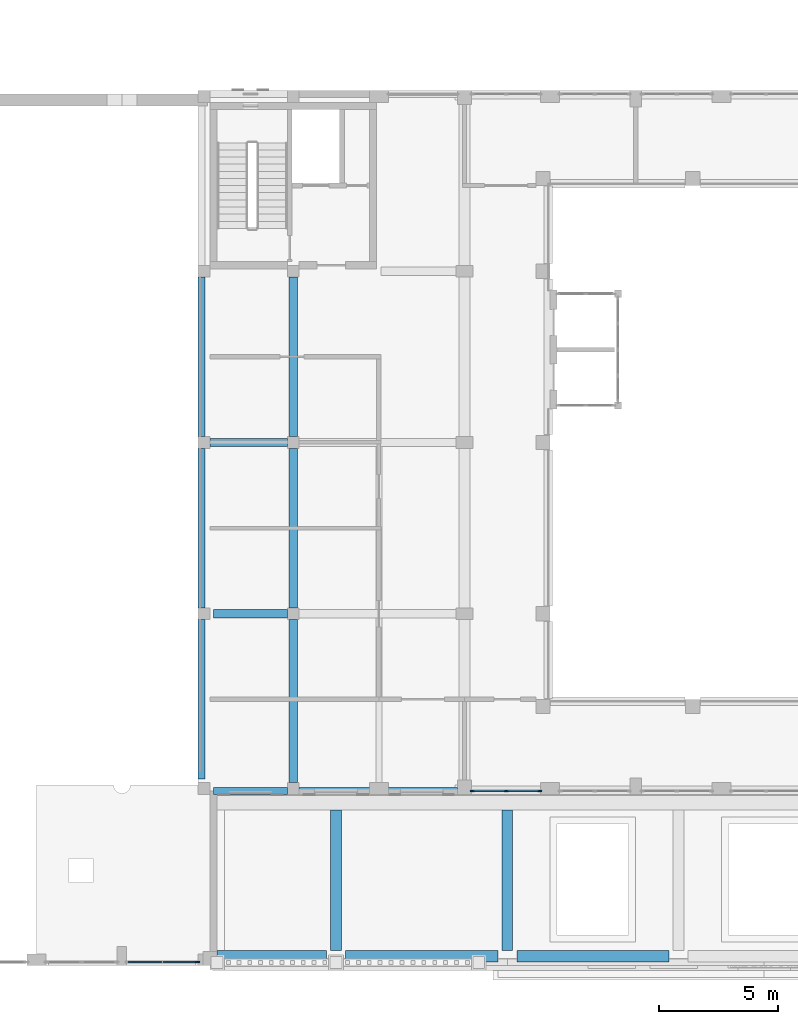
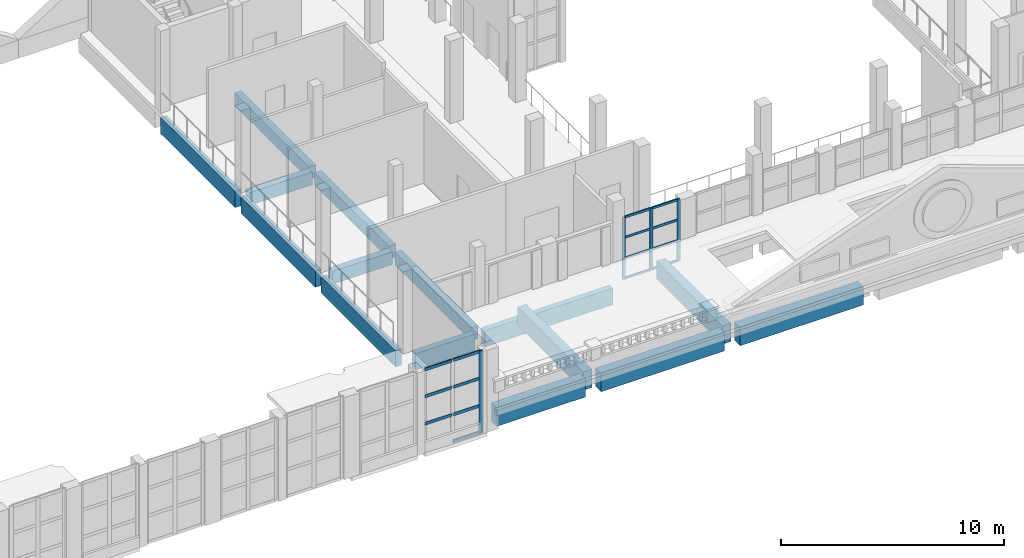
# One storey, part 4 of 58: 19 members, 15 beams, 2 elements without a shape of their own.
"""IFC4 building model written with IfcOpenShell, lengths in metres."""

from ifc_helpers import new_model, si_unit, direction, frame, origin, origin_2d, place, context, subcontext, project, spatial, rectangle, extrude, material, layer, layer_set, material_profile, profile_set, type_object, element, aggregate, save


model = new_model("IFC4")

# Units and contexts
model_context = context("Model", 3, precision=1e-05, world=origin(), true_north=direction((0.0, 1.0)))
body_context = subcontext(model_context, "Body", "Model", "MODEL_VIEW")
ifc_project = project(units=[si_unit("LENGTHUNIT", "METRE"), si_unit("AREAUNIT", "SQUARE_METRE"), si_unit("VOLUMEUNIT", "CUBIC_METRE"), si_unit("PLANEANGLEUNIT", "RADIAN"), si_unit("MASSUNIT", "GRAM", prefix="KILO")], contexts=[model_context])

# Site, building, storey
site_placement = place(None, origin())
site = spatial("IfcSite", under=ifc_project, at=site_placement, CompositionType="ELEMENT")
building_placement = place(site_placement, origin())
building = spatial("IfcBuilding", under=site, at=building_placement, Name="Ussher Court Research Institute", CompositionType="ELEMENT")
storey_placement = place(building_placement, frame((0.0, 0.0, 9.89990234375)))
storey = spatial("IfcBuildingStorey", under=building, at=storey_placement, Name="L02", CompositionType="ELEMENT", Elevation=9.89990234375)

# Curtain wall, members
ifc_material_1 = material(Name="Bronze anodised aluminium with low-e glass", Category="aluminium")
ifc_layer_1 = layer(ifc_material_1, 0.1201171875)
ifc_layer_set_1 = layer_set([ifc_layer_1], Name="Bronze anodised aluminium with low-e glass")
curtain_wall_type_1 = type_object("IfcCurtainWallType", Name="Curtain wall atrium clear glazing", PredefinedType="NOTDEFINED", material=ifc_layer_set_1)
curtain_wall_1_placement = place(storey_placement, origin())
curtain_wall_1 = element("IfcCurtainWall", 1, at=curtain_wall_1_placement, inside=storey, type_object=curtain_wall_type_1, Name="Curtain wall CW2 L02", PredefinedType="NOTDEFINED")
ifc_material_2 = material(Name="Bronze anodised aluminium", Category="aluminium")
ifc_material_profile_1 = material_profile(ifc_material_2, rectangle(XDim=0.06005859375, YDim=0.159912109375, at=origin_2d()), Name="Mullion 60x160")
ifc_profile_set_1 = profile_set([ifc_material_profile_1], Name="Bronze anodised aluminium")
member_type_1 = type_object("IfcMemberType", Name="Mullion 60x160", PredefinedType="MULLION", material=ifc_profile_set_1)
member_1_placement = place(storey_placement, frame((42.169921875, 10.949951171875, 0.0), z_axis=(0.0, 0.0, 1.0), x_axis=(0.0, -1.0, 0.0)))
member_1 = element("IfcMember", 2, at=member_1_placement, type_object=member_type_1, Name="CW2 mullion 1", PredefinedType="MULLION", context=body_context, shape_type="SweptSolid", body=[
    extrude(rectangle(XDim=0.06005859375, YDim=0.159912109375, at=origin_2d()), origin(), (0.0, 0.0, 1.0), 3.400146484375),
])
member_2_placement = place(storey_placement, frame((40.75, 10.949951171875, 0.0), z_axis=(0.0, 0.0, 1.0), x_axis=(0.0, -1.0, 0.0)))
member_2 = element("IfcMember", 3, at=member_2_placement, type_object=member_type_1, Name="CW2 mullion 2", PredefinedType="MULLION", context=body_context, shape_type="SweptSolid", body=[
    extrude(rectangle(XDim=0.06005859375, YDim=0.159912109375, at=origin_2d()), origin(), (0.0, 0.0, 1.0), 3.400146484375),
])
member_3_placement = place(storey_placement, frame((39.330078125, 10.949951171875, 0.0), z_axis=(0.0, 0.0, 1.0), x_axis=(0.0, -1.0, 0.0)))
member_3 = element("IfcMember", 4, at=member_3_placement, type_object=member_type_1, Name="CW2 mullion 3", PredefinedType="MULLION", context=body_context, shape_type="SweptSolid", body=[
    extrude(rectangle(XDim=0.06005859375, YDim=0.159912109375, at=origin_2d()), origin(), (0.0, 0.0, 1.0), 3.400146484375),
])

# Curtain wall, member
ifc_material_3 = material(Name="Bronze anodised aluminium with low-e glass", Category="aluminium")
ifc_layer_2 = layer(ifc_material_3, 0.159912109375)
ifc_layer_set_2 = layer_set([ifc_layer_2], Name="Bronze anodised aluminium with low-e glass")
curtain_wall_type_2 = type_object("IfcCurtainWallType", Name="Curtain wall lecture theatre gable glazing", PredefinedType="NOTDEFINED", material=ifc_layer_set_2)
curtain_wall_2_placement = place(storey_placement, origin())
curtain_wall_2 = element("IfcCurtainWall", 5, at=curtain_wall_2_placement, inside=storey, type_object=curtain_wall_type_2, Name="Curtain wall CW5 L02", PredefinedType="NOTDEFINED")
ifc_material_4 = material(Name="Bronze anodised aluminium", Category="aluminium")
ifc_material_profile_2 = material_profile(ifc_material_4, rectangle(XDim=0.06005859375, YDim=0.199951171875, at=origin_2d()), Name="Mullion 60x200")
ifc_profile_set_2 = profile_set([ifc_material_profile_2], Name="Bronze anodised aluminium")
member_type_2 = type_object("IfcMemberType", Name="Mullion 60x200", PredefinedType="MULLION", material=ifc_profile_set_2)
member_4_placement = place(storey_placement, frame((27.77001953125, 3.75, 0.0), z_axis=(0.0, 0.0, 1.0), x_axis=(0.0, -1.0, 0.0)))
member_4 = element("IfcMember", 6, at=member_4_placement, type_object=member_type_2, Name="CW5 mullion 1", PredefinedType="MULLION", context=body_context, shape_type="SweptSolid", body=[
    extrude(rectangle(XDim=0.06005859375, YDim=0.199951171875, at=origin_2d()), origin(), (0.0, 0.0, 1.0), 4.5),
])

# Beams
ifc_material_5 = material(Name="Concrete C35/45", Category="concrete")
ifc_material_profile_3 = material_profile(ifc_material_5, rectangle(XDim=0.300048828125, YDim=0.89990234375, at=origin_2d()), Name="RC 300x900")
ifc_profile_set_3 = profile_set([ifc_material_profile_3], Name="Concrete C35/45")
beam_type_1 = type_object("IfcBeamType", Name="RC 300x900 beam", PredefinedType="BEAM", material=ifc_profile_set_3)
beam_1_placement = place(storey_placement, frame((28.449951171875, 10.949951171875, -0.64990234375), z_axis=(1.0, 0.0, 0.0), x_axis=(0.0, 1.0, 0.0)))
element("IfcBeam", 7, at=beam_1_placement, inside=storey, type_object=beam_type_1, Name="SB2 V7 L02-01", PredefinedType="BEAM", context=body_context, shape_type="SweptSolid", body=[
    extrude(rectangle(XDim=0.300048828125, YDim=0.89990234375, at=origin_2d()), origin(), (0.0, 0.0, 1.0), 3.10009765625),
])
beam_2_placement = place(storey_placement, frame((32.050048828125, 10.949951171875, -0.64990234375), z_axis=(1.0, 0.0, 0.0), x_axis=(0.0, 1.0, 0.0)))
element("IfcBeam", 8, at=beam_2_placement, inside=storey, type_object=beam_type_1, Name="SB2 V7 L02-02", PredefinedType="BEAM", context=body_context, shape_type="SweptSolid", body=[
    extrude(rectangle(XDim=0.300048828125, YDim=0.89990234375, at=origin_2d()), origin(), (0.0, 0.0, 1.0), 6.64990234375),
])
beam_3_placement = place(storey_placement, frame((27.949951171875, 11.449951171875, -0.64990234375), z_axis=(0.0, 1.0, 0.0), x_axis=(-1.0, 0.0, 0.0)))
element("IfcBeam", 9, at=beam_3_placement, inside=storey, type_object=beam_type_1, Name="SB2 V7 L02-11", PredefinedType="BEAM", context=body_context, shape_type="SweptSolid", body=[
    extrude(rectangle(XDim=0.300048828125, YDim=0.89990234375, at=origin_2d()), origin(), (0.0, 0.0, 1.0), 6.699951171875),
])
beam_4_placement = place(storey_placement, frame((27.949951171875, 18.64990234375, -0.64990234375), z_axis=(0.0, 1.0, 0.0), x_axis=(-1.0, 0.0, 0.0)))
element("IfcBeam", 10, at=beam_4_placement, inside=storey, type_object=beam_type_1, Name="SB2 V7 L02-12", PredefinedType="BEAM", context=body_context, shape_type="SweptSolid", body=[
    extrude(rectangle(XDim=0.300048828125, YDim=0.89990234375, at=origin_2d()), origin(), (0.0, 0.0, 1.0), 6.7001953125),
])
beam_5_placement = place(storey_placement, frame((27.949951171875, 25.85009765625, -0.64990234375), z_axis=(0.0, 1.0, 0.0), x_axis=(-1.0, 0.0, 0.0)))
element("IfcBeam", 11, at=beam_5_placement, inside=storey, type_object=beam_type_1, Name="SB2 V7 L02-13", PredefinedType="BEAM", context=body_context, shape_type="SweptSolid", body=[
    extrude(rectangle(XDim=0.300048828125, YDim=0.89990234375, at=origin_2d()), origin(), (0.0, 0.0, 1.0), 6.699951171875),
])
ifc_material_6 = material(Name="Concrete C35/45", Category="concrete")
ifc_material_profile_4 = material_profile(ifc_material_6, rectangle(XDim=0.35009765625, YDim=0.699951171875, at=origin_2d()), Name="RC 350x700")
ifc_profile_set_4 = profile_set([ifc_material_profile_4], Name="Concrete C35/45")
beam_type_2 = type_object("IfcBeamType", Name="RC 350x700 beam", PredefinedType="BEAM", material=ifc_profile_set_4)
beam_6_placement = place(storey_placement, frame((28.449951171875, 18.39990234375, -0.5498046875), z_axis=(1.0, 0.0, 0.0), x_axis=(0.0, 1.0, 0.0)))
element("IfcBeam", 12, at=beam_6_placement, inside=storey, type_object=beam_type_2, Name="B16 V7 L02-01", PredefinedType="BEAM", context=body_context, shape_type="SweptSolid", body=[
    extrude(rectangle(XDim=0.35009765625, YDim=0.699951171875, at=origin_2d()), origin(), (0.0, 0.0, 1.0), 3.10009765625),
])
beam_7_placement = place(storey_placement, frame((28.300048828125, 25.60009765625, -0.5498046875), z_axis=(1.0, 0.0, 0.0), x_axis=(0.0, 1.0, 0.0)))
element("IfcBeam", 13, at=beam_7_placement, inside=storey, type_object=beam_type_2, Name="B16 V7 L02-06", PredefinedType="BEAM", context=body_context, shape_type="SweptSolid", body=[
    extrude(rectangle(XDim=0.35009765625, YDim=0.699951171875, at=origin_2d()), origin(), (0.0, 0.0, 1.0), 3.25),
])
beam_8_placement = place(storey_placement, frame((31.800048828125, 11.300048828125, -0.5498046875), z_axis=(0.0, 1.0, 0.0), x_axis=(-1.0, 0.0, 0.0)))
element("IfcBeam", 14, at=beam_8_placement, inside=storey, type_object=beam_type_2, Name="B16 V7 L02-14", PredefinedType="BEAM", context=body_context, shape_type="SweptSolid", body=[
    extrude(rectangle(XDim=0.35009765625, YDim=0.699951171875, at=origin_2d()), origin(), (0.0, 0.0, 1.0), 6.849853515625),
])
beam_9_placement = place(storey_placement, frame((31.800048828125, 18.64990234375, -0.5498046875), z_axis=(0.0, 1.0, 0.0), x_axis=(-1.0, 0.0, 0.0)))
element("IfcBeam", 15, at=beam_9_placement, inside=storey, type_object=beam_type_2, Name="B16 V7 L02-15", PredefinedType="BEAM", context=body_context, shape_type="SweptSolid", body=[
    extrude(rectangle(XDim=0.35009765625, YDim=0.699951171875, at=origin_2d()), origin(), (0.0, 0.0, 1.0), 6.7001953125),
])
beam_10_placement = place(storey_placement, frame((31.800048828125, 25.85009765625, -0.5498046875), z_axis=(0.0, 1.0, 0.0), x_axis=(-1.0, 0.0, 0.0)))
element("IfcBeam", 16, at=beam_10_placement, inside=storey, type_object=beam_type_2, Name="B16 V7 L02-16", PredefinedType="BEAM", context=body_context, shape_type="SweptSolid", body=[
    extrude(rectangle(XDim=0.35009765625, YDim=0.699951171875, at=origin_2d()), origin(), (0.0, 0.0, 1.0), 6.699951171875),
])
ifc_material_7 = material(Name="Concrete C35/45", Category="concrete")
ifc_material_profile_5 = material_profile(ifc_material_7, rectangle(XDim=0.449951171875, YDim=1.0, at=origin_2d()), Name="RC 450x1000")
ifc_profile_set_5 = profile_set([ifc_material_profile_5], Name="Concrete C35/45")
beam_type_3 = type_object("IfcBeamType", Name="RC 450x1000 beam", PredefinedType="BEAM", material=ifc_profile_set_5)
for number, where, z_axis, x_axis, name in (
    (17, (33.60009765625, 4.25, 0.5400390625), (0.0, 1.0, 0.0), (-1.0, 0.0, 0.0), "B19 V6 L02-01"),
    (18, (40.800048828125, 4.25, 0.5400390625), (0.0, 1.0, 0.0), (-1.0, 0.0, 0.0), "B19 V6 L02-02"),
):
    element("IfcBeam", number, at=place(storey_placement, frame(where, z_axis=z_axis, x_axis=x_axis)), inside=storey, type_object=beam_type_3, Name=name, PredefinedType="BEAM", context=body_context, shape_type="SweptSolid", body=[
        extrude(rectangle(XDim=0.449951171875, YDim=1.0, at=origin_2d()), origin(), (0.0, 0.0, 1.0), 5.89990234375),
    ])
ifc_material_8 = material(Name="Concrete C35/45", Category="concrete")
ifc_material_profile_6 = material_profile(ifc_material_8, rectangle(XDim=0.5, YDim=1.0, at=origin_2d()), Name="RC 500x1000")
ifc_profile_set_6 = profile_set([ifc_material_profile_6], Name="Concrete C35/45")
beam_type_4 = type_object("IfcBeamType", Name="RC 500x1000 beam", PredefinedType="BEAM", material=ifc_profile_set_6)
beam_11_placement = place(storey_placement, frame((28.60009765625, 4.0, 0.5400390625), z_axis=(1.0, 0.0, 0.0), x_axis=(0.0, 1.0, 0.0)))
element("IfcBeam", 19, at=beam_11_placement, inside=storey, type_object=beam_type_4, Name="B12 V6 L02-01", PredefinedType="BEAM", context=body_context, shape_type="SweptSolid", body=[
    extrude(rectangle(XDim=0.5, YDim=1.0, at=origin_2d()), origin(), (0.0, 0.0, 1.0), 4.599853515625),
])
beam_12_placement = place(storey_placement, frame((34.0, 4.0, 0.5400390625), z_axis=(1.0, 0.0, 0.0), x_axis=(0.0, 1.0, 0.0)))
element("IfcBeam", 20, at=beam_12_placement, inside=storey, type_object=beam_type_4, Name="B12 V6 L02-02", PredefinedType="BEAM", context=body_context, shape_type="SweptSolid", body=[
    extrude(rectangle(XDim=0.5, YDim=1.0, at=origin_2d()), origin(), (0.0, 0.0, 1.0), 6.39990234375),
])
beam_13_placement = place(storey_placement, frame((41.199951171875, 4.0, 0.5400390625), z_axis=(1.0, 0.0, 0.0), x_axis=(0.0, 1.0, 0.0)))
element("IfcBeam", 21, at=beam_13_placement, inside=storey, type_object=beam_type_4, Name="B12 V6 L02-03", PredefinedType="BEAM", context=body_context, shape_type="SweptSolid", body=[
    extrude(rectangle(XDim=0.5, YDim=1.0, at=origin_2d()), origin(), (0.0, 0.0, 1.0), 6.400146484375),
])

# Member
ifc_material_9 = material(Name="Bronze anodised aluminium", Category="aluminium")
ifc_material_profile_7 = material_profile(ifc_material_9, rectangle(XDim=0.06005859375, YDim=0.1201171875, at=origin_2d()), Name="Transom 60x120")
ifc_profile_set_7 = profile_set([ifc_material_profile_7], Name="Bronze anodised aluminium")
member_type_3 = type_object("IfcMemberType", Name="Transom 60x120", PredefinedType="USERDEFINED", material=ifc_profile_set_7)
member_5_placement = place(storey_placement, frame((42.139892578125, 10.949951171875, 0.030029296875), z_axis=(-1.0, 0.0, 0.0), x_axis=(0.0, -1.0, 0.0)))
member_5 = element("IfcMember", 22, at=member_5_placement, type_object=member_type_3, Name="CW2 transom 1.1", ObjectType="TRANSOM", PredefinedType="USERDEFINED", context=body_context, shape_type="SweptSolid", body=[
    extrude(rectangle(XDim=0.06005859375, YDim=0.1201171875, at=origin_2d()), origin(), (0.0, 0.0, 1.0), 1.35986328125),
])

member_6_placement = place(storey_placement, frame((42.139892578125, 10.949951171875, 1.13330078125), z_axis=(-1.0, 0.0, 0.0), x_axis=(0.0, -1.0, 0.0)))
member_6 = element("IfcMember", 23, at=member_6_placement, type_object=member_type_3, Name="CW2 transom 1.2", ObjectType="TRANSOM", PredefinedType="USERDEFINED", context=body_context, shape_type="SweptSolid", body=[
    extrude(rectangle(XDim=0.06005859375, YDim=0.1201171875, at=origin_2d()), origin(), (0.0, 0.0, 1.0), 1.35986328125),
])

member_7_placement = place(storey_placement, frame((42.139892578125, 10.949951171875, 2.266845703125), z_axis=(-1.0, 0.0, 0.0), x_axis=(0.0, -1.0, 0.0)))
member_7 = element("IfcMember", 24, at=member_7_placement, type_object=member_type_3, Name="CW2 transom 1.3", ObjectType="TRANSOM", PredefinedType="USERDEFINED", context=body_context, shape_type="SweptSolid", body=[
    extrude(rectangle(XDim=0.06005859375, YDim=0.1201171875, at=origin_2d()), origin(), (0.0, 0.0, 1.0), 1.35986328125),
])

member_8_placement = place(storey_placement, frame((42.139892578125, 10.949951171875, 3.3701171875), z_axis=(-1.0, 0.0, 0.0), x_axis=(0.0, -1.0, 0.0)))
member_8 = element("IfcMember", 25, at=member_8_placement, type_object=member_type_3, Name="CW2 transom 1.4", ObjectType="TRANSOM", PredefinedType="USERDEFINED", context=body_context, shape_type="SweptSolid", body=[
    extrude(rectangle(XDim=0.06005859375, YDim=0.1201171875, at=origin_2d()), origin(), (0.0, 0.0, 1.0), 1.35986328125),
])

member_9_placement = place(storey_placement, frame((40.719970703125, 10.949951171875, 0.030029296875), z_axis=(-1.0, 0.0, 0.0), x_axis=(0.0, -1.0, 0.0)))
member_9 = element("IfcMember", 26, at=member_9_placement, type_object=member_type_3, Name="CW2 transom 2.1", ObjectType="TRANSOM", PredefinedType="USERDEFINED", context=body_context, shape_type="SweptSolid", body=[
    extrude(rectangle(XDim=0.06005859375, YDim=0.1201171875, at=origin_2d()), origin(), (0.0, 0.0, 1.0), 1.35986328125),
])

member_10_placement = place(storey_placement, frame((40.719970703125, 10.949951171875, 1.13330078125), z_axis=(-1.0, 0.0, 0.0), x_axis=(0.0, -1.0, 0.0)))
member_10 = element("IfcMember", 27, at=member_10_placement, type_object=member_type_3, Name="CW2 transom 2.2", ObjectType="TRANSOM", PredefinedType="USERDEFINED", context=body_context, shape_type="SweptSolid", body=[
    extrude(rectangle(XDim=0.06005859375, YDim=0.1201171875, at=origin_2d()), origin(), (0.0, 0.0, 1.0), 1.35986328125),
])

member_11_placement = place(storey_placement, frame((40.719970703125, 10.949951171875, 2.266845703125), z_axis=(-1.0, 0.0, 0.0), x_axis=(0.0, -1.0, 0.0)))
member_11 = element("IfcMember", 28, at=member_11_placement, type_object=member_type_3, Name="CW2 transom 2.3", ObjectType="TRANSOM", PredefinedType="USERDEFINED", context=body_context, shape_type="SweptSolid", body=[
    extrude(rectangle(XDim=0.06005859375, YDim=0.1201171875, at=origin_2d()), origin(), (0.0, 0.0, 1.0), 1.35986328125),
])

member_12_placement = place(storey_placement, frame((40.719970703125, 10.949951171875, 3.3701171875), z_axis=(-1.0, 0.0, 0.0), x_axis=(0.0, -1.0, 0.0)))
member_12 = element("IfcMember", 29, at=member_12_placement, type_object=member_type_3, Name="CW2 transom 2.4", ObjectType="TRANSOM", PredefinedType="USERDEFINED", context=body_context, shape_type="SweptSolid", body=[
    extrude(rectangle(XDim=0.06005859375, YDim=0.1201171875, at=origin_2d()), origin(), (0.0, 0.0, 1.0), 1.35986328125),
])

aggregate(curtain_wall_1, [member_1, member_2, member_3, member_5, member_6, member_7, member_8, member_9, member_10, member_11, member_12])

ifc_material_10 = material(Name="Bronze anodised aluminium", Category="aluminium")
ifc_material_profile_8 = material_profile(ifc_material_10, rectangle(XDim=0.06005859375, YDim=0.159912109375, at=origin_2d()), Name="Transom 60x160")
ifc_profile_set_8 = profile_set([ifc_material_profile_8], Name="Bronze anodised aluminium")
member_type_4 = type_object("IfcMemberType", Name="Transom 60x160", PredefinedType="USERDEFINED", material=ifc_profile_set_8)
member_13_placement = place(storey_placement, frame((27.739990234375, 3.75, 0.030029296875), z_axis=(-1.0, 0.0, 0.0), x_axis=(0.0, -1.0, 0.0)))
member_13 = element("IfcMember", 30, at=member_13_placement, type_object=member_type_4, Name="CW5 transom 1.1", ObjectType="TRANSOM", PredefinedType="USERDEFINED", context=body_context, shape_type="SweptSolid", body=[
    extrude(rectangle(XDim=0.06005859375, YDim=0.159912109375, at=origin_2d()), origin(), (0.0, 0.0, 1.0), 1.409912109375),
])

member_14_placement = place(storey_placement, frame((27.739990234375, 3.75, 1.5), z_axis=(-1.0, 0.0, 0.0), x_axis=(0.0, -1.0, 0.0)))
member_14 = element("IfcMember", 31, at=member_14_placement, type_object=member_type_4, Name="CW5 transom 1.2", ObjectType="TRANSOM", PredefinedType="USERDEFINED", context=body_context, shape_type="SweptSolid", body=[
    extrude(rectangle(XDim=0.06005859375, YDim=0.159912109375, at=origin_2d()), origin(), (0.0, 0.0, 1.0), 1.409912109375),
])

member_15_placement = place(storey_placement, frame((27.739990234375, 3.75, 3.0), z_axis=(-1.0, 0.0, 0.0), x_axis=(0.0, -1.0, 0.0)))
member_15 = element("IfcMember", 32, at=member_15_placement, type_object=member_type_4, Name="CW5 transom 1.3", ObjectType="TRANSOM", PredefinedType="USERDEFINED", context=body_context, shape_type="SweptSolid", body=[
    extrude(rectangle(XDim=0.06005859375, YDim=0.159912109375, at=origin_2d()), origin(), (0.0, 0.0, 1.0), 1.409912109375),
])

member_16_placement = place(storey_placement, frame((27.739990234375, 3.75, 4.47021484375), z_axis=(-1.0, 0.0, 0.0), x_axis=(0.0, -1.0, 0.0)))
member_16 = element("IfcMember", 33, at=member_16_placement, type_object=member_type_4, Name="CW5 transom 1.4", ObjectType="TRANSOM", PredefinedType="USERDEFINED", context=body_context, shape_type="SweptSolid", body=[
    extrude(rectangle(XDim=0.06005859375, YDim=0.159912109375, at=origin_2d()), origin(), (0.0, 0.0, 1.0), 1.409912109375),
])

member_17_placement = place(storey_placement, frame((26.27001953125, 3.75, 1.5), z_axis=(-1.0, 0.0, 0.0), x_axis=(0.0, -1.0, 0.0)))
member_17 = element("IfcMember", 34, at=member_17_placement, type_object=member_type_4, Name="CW5 transom 2.2", ObjectType="TRANSOM", PredefinedType="USERDEFINED", context=body_context, shape_type="SweptSolid", body=[
    extrude(rectangle(XDim=0.06005859375, YDim=0.159912109375, at=origin_2d()), origin(), (0.0, 0.0, 1.0), 1.409912109375),
])

member_18_placement = place(storey_placement, frame((26.27001953125, 3.75, 3.0), z_axis=(-1.0, 0.0, 0.0), x_axis=(0.0, -1.0, 0.0)))
member_18 = element("IfcMember", 35, at=member_18_placement, type_object=member_type_4, Name="CW5 transom 2.3", ObjectType="TRANSOM", PredefinedType="USERDEFINED", context=body_context, shape_type="SweptSolid", body=[
    extrude(rectangle(XDim=0.06005859375, YDim=0.159912109375, at=origin_2d()), origin(), (0.0, 0.0, 1.0), 1.409912109375),
])

member_19_placement = place(storey_placement, frame((26.27001953125, 3.75, 4.47021484375), z_axis=(-1.0, 0.0, 0.0), x_axis=(0.0, -1.0, 0.0)))
member_19 = element("IfcMember", 36, at=member_19_placement, type_object=member_type_4, Name="CW5 transom 2.4", ObjectType="TRANSOM", PredefinedType="USERDEFINED", context=body_context, shape_type="SweptSolid", body=[
    extrude(rectangle(XDim=0.06005859375, YDim=0.159912109375, at=origin_2d()), origin(), (0.0, 0.0, 1.0), 1.409912109375),
])

aggregate(curtain_wall_2, [member_4, member_13, member_14, member_15, member_16, member_17, member_18, member_19])

save(model, "model.ifc")
